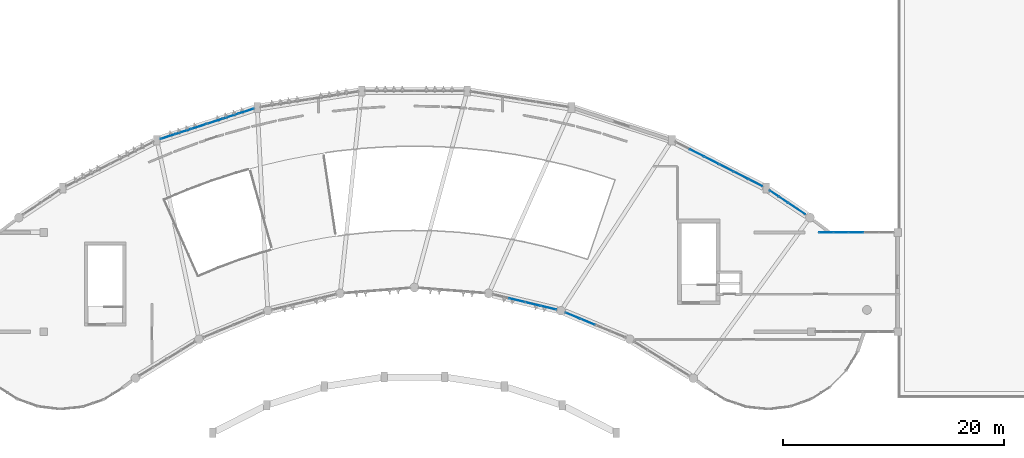
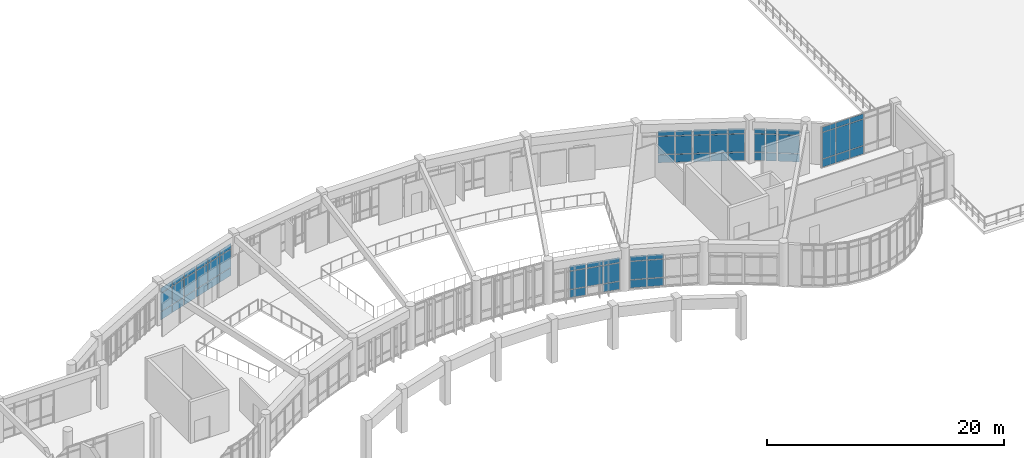
# One storey, part 37 of 54: 65 plates, 10 elements without a shape of their own.
"""IFC4 building model written with IfcOpenShell, lengths in metres."""

from ifc_helpers import new_model, si_unit, direction, frame, origin, origin_2d, place, context, subcontext, project, spatial, rectangle, extrude, material, layer, layer_set, type_object, element, aggregate, save


model = new_model("IFC4")

# Units and contexts
model_context = context("Model", 3, precision=1e-05, world=origin(), true_north=direction((0.0, 1.0)))
body_context = subcontext(model_context, "Body", "Model", "MODEL_VIEW")
ifc_project = project(units=[si_unit("LENGTHUNIT", "METRE"), si_unit("AREAUNIT", "SQUARE_METRE"), si_unit("VOLUMEUNIT", "CUBIC_METRE"), si_unit("PLANEANGLEUNIT", "RADIAN"), si_unit("MASSUNIT", "GRAM", prefix="KILO")], contexts=[model_context])

# Site, building, storey
site_placement = place(None, origin())
site = spatial("IfcSite", under=ifc_project, at=site_placement, CompositionType="ELEMENT")
building_placement = place(site_placement, origin())
building = spatial("IfcBuilding", under=site, at=building_placement, Name="Miralva Faculty of Natural Sciences", CompositionType="ELEMENT")
storey_placement = place(building_placement, frame((0.0, 0.0, 19.5)))
storey = spatial("IfcBuildingStorey", under=building, at=storey_placement, Name="L04", CompositionType="ELEMENT", Elevation=19.5)

# Curtain wall, plates
ifc_material = material(Name="Laminated solar-control glass", Category="glass")
ifc_layer_1 = layer(ifc_material, 0.179931640625, Name="CW-ARC-L03")
ifc_layer_set_1 = layer_set([ifc_layer_1], Name="Laminated solar-control glass")
curtain_wall_type_1 = type_object("IfcCurtainWallType", Name="CW-ARC-L03", PredefinedType="USERDEFINED", material=ifc_layer_set_1)
curtain_wall_1_placement = place(storey_placement, origin())
curtain_wall_1 = element("IfcCurtainWall", 1, at=curtain_wall_1_placement, inside=storey, type_object=curtain_wall_type_1, Name="Curtain wall CW-03 L04-167", ObjectType="UNITISED CURTAIN WALL", PredefinedType="USERDEFINED")
ifc_layer_2 = layer(ifc_material, 0.028076171875, Name="PNL-P01")
ifc_layer_set_2 = layer_set([ifc_layer_2], Name="Laminated solar-control glass")
plate_type = type_object("IfcPlateType", Name="PNL-P01", PredefinedType="CURTAIN_PANEL", material=ifc_layer_set_2)
plate_1_placement = place(storey_placement, frame((99.267333984375, 20.860595703125, 0.06494140625), z_axis=(0.0, 0.0, 1.0), x_axis=(0.972367185898, -0.233456753574, 0.0)))
plate_1 = element("IfcPlate", 2, at=plate_1_placement, type_object=plate_type, Name="CW-03 panel 2.1", PredefinedType="CURTAIN_PANEL", context=body_context, shape_type="SweptSolid", body=[
    extrude(rectangle(XDim=1.391845703125, YDim=0.028076171875, at=origin_2d()), origin(), (0.0, 0.0, 1.0), 0.802490234375),
])
plate_2_placement = place(storey_placement, frame((99.267333984375, 20.860595703125, 0.9326171875), z_axis=(0.0, 0.0, 1.0), x_axis=(0.972367185898, -0.233456753574, 0.0)))
plate_2 = element("IfcPlate", 3, at=plate_2_placement, type_object=plate_type, Name="CW-03 panel 2.2", PredefinedType="CURTAIN_PANEL", context=body_context, shape_type="SweptSolid", body=[
    extrude(rectangle(XDim=1.391845703125, YDim=0.028076171875, at=origin_2d()), origin(), (0.0, 0.0, 1.0), 1.840087890625),
])
plate_3_placement = place(storey_placement, frame((99.267333984375, 20.860595703125, 2.837646484375), z_axis=(0.0, 0.0, 1.0), x_axis=(0.972367185898, -0.233456753574, 0.0)))
plate_3 = element("IfcPlate", 4, at=plate_3_placement, type_object=plate_type, Name="CW-03 panel 2.3", PredefinedType="CURTAIN_PANEL", context=body_context, shape_type="SweptSolid", body=[
    extrude(rectangle(XDim=1.391845703125, YDim=0.028076171875, at=origin_2d()), origin(), (0.0, 0.0, 1.0), 0.50244140625),
])
aggregate(curtain_wall_1, [plate_1, plate_2, plate_3])

curtain_wall_2_placement = place(storey_placement, origin())
curtain_wall_2 = element("IfcCurtainWall", 5, at=curtain_wall_2_placement, inside=storey, type_object=curtain_wall_type_1, Name="Curtain wall CW-03 L04-168", ObjectType="UNITISED CURTAIN WALL", PredefinedType="USERDEFINED")
plate_4_placement = place(storey_placement, frame((100.743408203125, 20.50634765625, 0.9326171875), z_axis=(0.0, 0.0, 1.0), x_axis=(0.972365393914, -0.233464217213, 0.0)))
plate_4 = element("IfcPlate", 6, at=plate_4_placement, type_object=plate_type, Name="CW-03 panel 1.2", PredefinedType="CURTAIN_PANEL", context=body_context, shape_type="SweptSolid", body=[
    extrude(rectangle(XDim=1.394287109375, YDim=0.028076171875, at=origin_2d()), origin(), (0.0, 0.0, 1.0), 1.840087890625),
])
plate_5_placement = place(storey_placement, frame((100.743408203125, 20.50634765625, 2.837646484375), z_axis=(0.0, 0.0, 1.0), x_axis=(0.972365393914, -0.233464217213, 0.0)))
plate_5 = element("IfcPlate", 7, at=plate_5_placement, type_object=plate_type, Name="CW-03 panel 1.3", PredefinedType="CURTAIN_PANEL", context=body_context, shape_type="SweptSolid", body=[
    extrude(rectangle(XDim=1.394287109375, YDim=0.028076171875, at=origin_2d()), origin(), (0.0, 0.0, 1.0), 0.50244140625),
])
plate_6_placement = place(storey_placement, frame((102.162353515625, 20.16552734375, 0.06494140625), z_axis=(0.0, 0.0, 1.0), x_axis=(0.972365393914, -0.233464217213, 0.0)))
plate_6 = element("IfcPlate", 8, at=plate_6_placement, type_object=plate_type, Name="CW-03 panel 2.1", PredefinedType="CURTAIN_PANEL", context=body_context, shape_type="SweptSolid", body=[
    extrude(rectangle(XDim=1.394287109375, YDim=0.028076171875, at=origin_2d()), origin(), (0.0, 0.0, 1.0), 0.802490234375),
])
plate_7_placement = place(storey_placement, frame((102.162353515625, 20.16552734375, 0.9326171875), z_axis=(0.0, 0.0, 1.0), x_axis=(0.972365393914, -0.233464217213, 0.0)))
plate_7 = element("IfcPlate", 9, at=plate_7_placement, type_object=plate_type, Name="CW-03 panel 2.2", PredefinedType="CURTAIN_PANEL", context=body_context, shape_type="SweptSolid", body=[
    extrude(rectangle(XDim=1.394287109375, YDim=0.028076171875, at=origin_2d()), origin(), (0.0, 0.0, 1.0), 1.840087890625),
])
plate_8_placement = place(storey_placement, frame((102.162353515625, 20.16552734375, 2.837646484375), z_axis=(0.0, 0.0, 1.0), x_axis=(0.972365393914, -0.233464217213, 0.0)))
plate_8 = element("IfcPlate", 10, at=plate_8_placement, type_object=plate_type, Name="CW-03 panel 2.3", PredefinedType="CURTAIN_PANEL", context=body_context, shape_type="SweptSolid", body=[
    extrude(rectangle(XDim=1.394287109375, YDim=0.028076171875, at=origin_2d()), origin(), (0.0, 0.0, 1.0), 0.50244140625),
])
aggregate(curtain_wall_2, [plate_4, plate_5, plate_6, plate_7, plate_8])

curtain_wall_3_placement = place(storey_placement, origin())
curtain_wall_3 = element("IfcCurtainWall", 11, at=curtain_wall_3_placement, inside=storey, type_object=curtain_wall_type_1, Name="Curtain wall CW-03 L04-169", ObjectType="UNITISED CURTAIN WALL", PredefinedType="USERDEFINED")
plate_9_placement = place(storey_placement, frame((104.36962890625, 19.447265625, 0.06494140625), z_axis=(0.0, 0.0, 1.0), x_axis=(0.9238907876, -0.382656259046, 0.0)))
plate_9 = element("IfcPlate", 12, at=plate_9_placement, type_object=plate_type, Name="CW-03 panel 1.1", PredefinedType="CURTAIN_PANEL", context=body_context, shape_type="SweptSolid", body=[
    extrude(rectangle(XDim=1.3818359375, YDim=0.028076171875, at=origin_2d()), origin(), (0.0, 0.0, 1.0), 0.802490234375),
])
plate_10_placement = place(storey_placement, frame((104.36962890625, 19.447265625, 0.9326171875), z_axis=(0.0, 0.0, 1.0), x_axis=(0.9238907876, -0.382656259046, 0.0)))
plate_10 = element("IfcPlate", 13, at=plate_10_placement, type_object=plate_type, Name="CW-03 panel 1.2", PredefinedType="CURTAIN_PANEL", context=body_context, shape_type="SweptSolid", body=[
    extrude(rectangle(XDim=1.3818359375, YDim=0.028076171875, at=origin_2d()), origin(), (0.0, 0.0, 1.0), 1.840087890625),
])
plate_11_placement = place(storey_placement, frame((104.36962890625, 19.447265625, 2.837646484375), z_axis=(0.0, 0.0, 1.0), x_axis=(0.9238907876, -0.382656259046, 0.0)))
plate_11 = element("IfcPlate", 14, at=plate_11_placement, type_object=plate_type, Name="CW-03 panel 1.3", PredefinedType="CURTAIN_PANEL", context=body_context, shape_type="SweptSolid", body=[
    extrude(rectangle(XDim=1.3818359375, YDim=0.028076171875, at=origin_2d()), origin(), (0.0, 0.0, 1.0), 0.50244140625),
])
plate_12_placement = place(storey_placement, frame((105.706298828125, 18.8935546875, 0.06494140625), z_axis=(0.0, 0.0, 1.0), x_axis=(0.9238907876, -0.382656259046, 0.0)))
plate_12 = element("IfcPlate", 15, at=plate_12_placement, type_object=plate_type, Name="CW-03 panel 2.1", PredefinedType="CURTAIN_PANEL", context=body_context, shape_type="SweptSolid", body=[
    extrude(rectangle(XDim=1.3818359375, YDim=0.028076171875, at=origin_2d()), origin(), (0.0, 0.0, 1.0), 0.802490234375),
])
plate_13_placement = place(storey_placement, frame((105.706298828125, 18.8935546875, 0.9326171875), z_axis=(0.0, 0.0, 1.0), x_axis=(0.9238907876, -0.382656259046, 0.0)))
plate_13 = element("IfcPlate", 16, at=plate_13_placement, type_object=plate_type, Name="CW-03 panel 2.2", PredefinedType="CURTAIN_PANEL", context=body_context, shape_type="SweptSolid", body=[
    extrude(rectangle(XDim=1.3818359375, YDim=0.028076171875, at=origin_2d()), origin(), (0.0, 0.0, 1.0), 1.840087890625),
])
plate_14_placement = place(storey_placement, frame((105.706298828125, 18.8935546875, 2.837646484375), z_axis=(0.0, 0.0, 1.0), x_axis=(0.9238907876, -0.382656259046, 0.0)))
plate_14 = element("IfcPlate", 17, at=plate_14_placement, type_object=plate_type, Name="CW-03 panel 2.3", PredefinedType="CURTAIN_PANEL", context=body_context, shape_type="SweptSolid", body=[
    extrude(rectangle(XDim=1.3818359375, YDim=0.028076171875, at=origin_2d()), origin(), (0.0, 0.0, 1.0), 0.50244140625),
])
aggregate(curtain_wall_3, [plate_9, plate_10, plate_11, plate_12, plate_13, plate_14])

curtain_wall_4_placement = place(storey_placement, origin())
curtain_wall_4 = element("IfcCurtainWall", 18, at=curtain_wall_4_placement, inside=storey, type_object=curtain_wall_type_1, Name="Curtain wall CW-03 L04-177", ObjectType="UNITISED CURTAIN WALL", PredefinedType="USERDEFINED")
plate_15_placement = place(storey_placement, frame((67.6640625, 35.68408203125, 0.06005859375), z_axis=(0.0, 0.0, 1.0), x_axis=(0.951058446626, 0.309011053363, 0.0)))
plate_15 = element("IfcPlate", 19, at=plate_15_placement, type_object=plate_type, Name="CW-03 panel 1.1", PredefinedType="CURTAIN_PANEL", context=body_context, shape_type="SweptSolid", body=[
    extrude(rectangle(XDim=1.3994140625, YDim=0.028076171875, at=origin_2d()), origin(), (0.0, 0.0, 1.0), 0.81005859375),
])
plate_16_placement = place(storey_placement, frame((67.6640625, 35.68408203125, 0.93017578125), z_axis=(0.0, 0.0, 1.0), x_axis=(0.951058446626, 0.309011053363, 0.0)))
plate_16 = element("IfcPlate", 20, at=plate_16_placement, type_object=plate_type, Name="CW-03 panel 1.2", PredefinedType="CURTAIN_PANEL", context=body_context, shape_type="SweptSolid", body=[
    extrude(rectangle(XDim=1.3994140625, YDim=0.028076171875, at=origin_2d()), origin(), (0.0, 0.0, 1.0), 1.844970703125),
])
plate_17_placement = place(storey_placement, frame((67.6640625, 35.68408203125, 2.8349609375), z_axis=(0.0, 0.0, 1.0), x_axis=(0.951058446626, 0.309011053363, 0.0)))
plate_17 = element("IfcPlate", 21, at=plate_17_placement, type_object=plate_type, Name="CW-03 panel 1.3", PredefinedType="CURTAIN_PANEL", context=body_context, shape_type="SweptSolid", body=[
    extrude(rectangle(XDim=1.3994140625, YDim=0.028076171875, at=origin_2d()), origin(), (0.0, 0.0, 1.0), 0.510009765625),
])
plate_18_placement = place(storey_placement, frame((69.072509765625, 36.1416015625, 0.06005859375), z_axis=(0.0, 0.0, 1.0), x_axis=(0.951058446626, 0.309011053363, 0.0)))
plate_18 = element("IfcPlate", 22, at=plate_18_placement, type_object=plate_type, Name="CW-03 panel 2.1", PredefinedType="CURTAIN_PANEL", context=body_context, shape_type="SweptSolid", body=[
    extrude(rectangle(XDim=1.43212890625, YDim=0.028076171875, at=origin_2d()), origin(), (0.0, 0.0, 1.0), 0.81005859375),
])
plate_19_placement = place(storey_placement, frame((69.072509765625, 36.1416015625, 0.93017578125), z_axis=(0.0, 0.0, 1.0), x_axis=(0.951058446626, 0.309011053363, 0.0)))
plate_19 = element("IfcPlate", 23, at=plate_19_placement, type_object=plate_type, Name="CW-03 panel 2.2", PredefinedType="CURTAIN_PANEL", context=body_context, shape_type="SweptSolid", body=[
    extrude(rectangle(XDim=1.43212890625, YDim=0.028076171875, at=origin_2d()), origin(), (0.0, 0.0, 1.0), 1.844970703125),
])
plate_20_placement = place(storey_placement, frame((69.072509765625, 36.1416015625, 2.8349609375), z_axis=(0.0, 0.0, 1.0), x_axis=(0.951058446626, 0.309011053363, 0.0)))
plate_20 = element("IfcPlate", 24, at=plate_20_placement, type_object=plate_type, Name="CW-03 panel 2.3", PredefinedType="CURTAIN_PANEL", context=body_context, shape_type="SweptSolid", body=[
    extrude(rectangle(XDim=1.43212890625, YDim=0.028076171875, at=origin_2d()), origin(), (0.0, 0.0, 1.0), 0.510009765625),
])
plate_21_placement = place(storey_placement, frame((70.480712890625, 36.599365234375, 0.06005859375), z_axis=(0.0, 0.0, 1.0), x_axis=(0.951058446626, 0.309011053363, 0.0)))
plate_21 = element("IfcPlate", 25, at=plate_21_placement, type_object=plate_type, Name="CW-03 panel 3.1", PredefinedType="CURTAIN_PANEL", context=body_context, shape_type="SweptSolid", body=[
    extrude(rectangle(XDim=1.3994140625, YDim=0.028076171875, at=origin_2d()), origin(), (0.0, 0.0, 1.0), 0.81005859375),
])
plate_22_placement = place(storey_placement, frame((70.480712890625, 36.599365234375, 0.93017578125), z_axis=(0.0, 0.0, 1.0), x_axis=(0.951058446626, 0.309011053363, 0.0)))
plate_22 = element("IfcPlate", 26, at=plate_22_placement, type_object=plate_type, Name="CW-03 panel 3.2", PredefinedType="CURTAIN_PANEL", context=body_context, shape_type="SweptSolid", body=[
    extrude(rectangle(XDim=1.3994140625, YDim=0.028076171875, at=origin_2d()), origin(), (0.0, 0.0, 1.0), 1.844970703125),
])
plate_23_placement = place(storey_placement, frame((70.480712890625, 36.599365234375, 2.8349609375), z_axis=(0.0, 0.0, 1.0), x_axis=(0.951058446626, 0.309011053363, 0.0)))
plate_23 = element("IfcPlate", 27, at=plate_23_placement, type_object=plate_type, Name="CW-03 panel 3.3", PredefinedType="CURTAIN_PANEL", context=body_context, shape_type="SweptSolid", body=[
    extrude(rectangle(XDim=1.3994140625, YDim=0.028076171875, at=origin_2d()), origin(), (0.0, 0.0, 1.0), 0.510009765625),
])
aggregate(curtain_wall_4, [plate_15, plate_16, plate_17, plate_18, plate_19, plate_20, plate_21, plate_22, plate_23])

curtain_wall_5_placement = place(storey_placement, origin())
curtain_wall_5 = element("IfcCurtainWall", 28, at=curtain_wall_5_placement, inside=storey, type_object=curtain_wall_type_1, Name="Curtain wall CW-03 L04-178", ObjectType="UNITISED CURTAIN WALL", PredefinedType="USERDEFINED")
plate_24_placement = place(storey_placement, frame((71.931396484375, 37.070556640625, 0.06005859375), z_axis=(0.0, 0.0, 1.0), x_axis=(0.95106021738, 0.309005603375, 0.0)))
plate_24 = element("IfcPlate", 29, at=plate_24_placement, type_object=plate_type, Name="CW-03 panel 1.1", PredefinedType="CURTAIN_PANEL", context=body_context, shape_type="SweptSolid", body=[
    extrude(rectangle(XDim=1.401123046875, YDim=0.028076171875, at=origin_2d()), origin(), (0.0, 0.0, 1.0), 0.81005859375),
])
plate_25_placement = place(storey_placement, frame((71.931396484375, 37.070556640625, 0.93017578125), z_axis=(0.0, 0.0, 1.0), x_axis=(0.95106021738, 0.309005603375, 0.0)))
plate_25 = element("IfcPlate", 30, at=plate_25_placement, type_object=plate_type, Name="CW-03 panel 1.2", PredefinedType="CURTAIN_PANEL", context=body_context, shape_type="SweptSolid", body=[
    extrude(rectangle(XDim=1.401123046875, YDim=0.028076171875, at=origin_2d()), origin(), (0.0, 0.0, 1.0), 1.844970703125),
])
plate_26_placement = place(storey_placement, frame((71.931396484375, 37.070556640625, 2.8349609375), z_axis=(0.0, 0.0, 1.0), x_axis=(0.95106021738, 0.309005603375, 0.0)))
plate_26 = element("IfcPlate", 31, at=plate_26_placement, type_object=plate_type, Name="CW-03 panel 1.3", PredefinedType="CURTAIN_PANEL", context=body_context, shape_type="SweptSolid", body=[
    extrude(rectangle(XDim=1.401123046875, YDim=0.028076171875, at=origin_2d()), origin(), (0.0, 0.0, 1.0), 0.510009765625),
])
plate_27_placement = place(storey_placement, frame((73.34130859375, 37.52880859375, 0.06005859375), z_axis=(0.0, 0.0, 1.0), x_axis=(0.95106021738, 0.309005603375, 0.0)))
plate_27 = element("IfcPlate", 32, at=plate_27_placement, type_object=plate_type, Name="CW-03 panel 2.1", PredefinedType="CURTAIN_PANEL", context=body_context, shape_type="SweptSolid", body=[
    extrude(rectangle(XDim=1.43359375, YDim=0.028076171875, at=origin_2d()), origin(), (0.0, 0.0, 1.0), 0.81005859375),
])
plate_28_placement = place(storey_placement, frame((73.34130859375, 37.52880859375, 0.93017578125), z_axis=(0.0, 0.0, 1.0), x_axis=(0.95106021738, 0.309005603375, 0.0)))
plate_28 = element("IfcPlate", 33, at=plate_28_placement, type_object=plate_type, Name="CW-03 panel 2.2", PredefinedType="CURTAIN_PANEL", context=body_context, shape_type="SweptSolid", body=[
    extrude(rectangle(XDim=1.43359375, YDim=0.028076171875, at=origin_2d()), origin(), (0.0, 0.0, 1.0), 1.844970703125),
])
plate_29_placement = place(storey_placement, frame((73.34130859375, 37.52880859375, 2.8349609375), z_axis=(0.0, 0.0, 1.0), x_axis=(0.95106021738, 0.309005603375, 0.0)))
plate_29 = element("IfcPlate", 34, at=plate_29_placement, type_object=plate_type, Name="CW-03 panel 2.3", PredefinedType="CURTAIN_PANEL", context=body_context, shape_type="SweptSolid", body=[
    extrude(rectangle(XDim=1.43359375, YDim=0.028076171875, at=origin_2d()), origin(), (0.0, 0.0, 1.0), 0.510009765625),
])
plate_30_placement = place(storey_placement, frame((74.751220703125, 37.98681640625, 0.06005859375), z_axis=(0.0, 0.0, 1.0), x_axis=(0.95106021738, 0.309005603375, 0.0)))
plate_30 = element("IfcPlate", 35, at=plate_30_placement, type_object=plate_type, Name="CW-03 panel 3.1", PredefinedType="CURTAIN_PANEL", context=body_context, shape_type="SweptSolid", body=[
    extrude(rectangle(XDim=1.401123046875, YDim=0.028076171875, at=origin_2d()), origin(), (0.0, 0.0, 1.0), 0.81005859375),
])
plate_31_placement = place(storey_placement, frame((74.751220703125, 37.98681640625, 0.93017578125), z_axis=(0.0, 0.0, 1.0), x_axis=(0.95106021738, 0.309005603375, 0.0)))
plate_31 = element("IfcPlate", 36, at=plate_31_placement, type_object=plate_type, Name="CW-03 panel 3.2", PredefinedType="CURTAIN_PANEL", context=body_context, shape_type="SweptSolid", body=[
    extrude(rectangle(XDim=1.401123046875, YDim=0.028076171875, at=origin_2d()), origin(), (0.0, 0.0, 1.0), 1.844970703125),
])
plate_32_placement = place(storey_placement, frame((74.751220703125, 37.98681640625, 2.8349609375), z_axis=(0.0, 0.0, 1.0), x_axis=(0.95106021738, 0.309005603375, 0.0)))
plate_32 = element("IfcPlate", 37, at=plate_32_placement, type_object=plate_type, Name="CW-03 panel 3.3", PredefinedType="CURTAIN_PANEL", context=body_context, shape_type="SweptSolid", body=[
    extrude(rectangle(XDim=1.401123046875, YDim=0.028076171875, at=origin_2d()), origin(), (0.0, 0.0, 1.0), 0.510009765625),
])
aggregate(curtain_wall_5, [plate_24, plate_25, plate_26, plate_27, plate_28, plate_29, plate_30, plate_31, plate_32])

curtain_wall_6_placement = place(storey_placement, origin())
curtain_wall_6 = element("IfcCurtainWall", 38, at=curtain_wall_6_placement, inside=storey, type_object=curtain_wall_type_1, Name="Curtain wall CW-03 L04-185", ObjectType="UNITISED CURTAIN WALL", PredefinedType="USERDEFINED")
plate_33_placement = place(storey_placement, frame((115.6162109375, 34.19873046875, 0.06005859375), z_axis=(0.0, 0.0, 1.0), x_axis=(0.891015257812, -0.453973358631, 0.0)))
plate_33 = element("IfcPlate", 39, at=plate_33_placement, type_object=plate_type, Name="CW-03 panel 2.1", PredefinedType="CURTAIN_PANEL", context=body_context, shape_type="SweptSolid", body=[
    extrude(rectangle(XDim=1.42529296875, YDim=0.028076171875, at=origin_2d()), origin(), (0.0, 0.0, 1.0), 0.81005859375),
])
plate_34_placement = place(storey_placement, frame((115.6162109375, 34.19873046875, 0.93017578125), z_axis=(0.0, 0.0, 1.0), x_axis=(0.891015257812, -0.453973358631, 0.0)))
plate_34 = element("IfcPlate", 40, at=plate_34_placement, type_object=plate_type, Name="CW-03 panel 2.2", PredefinedType="CURTAIN_PANEL", context=body_context, shape_type="SweptSolid", body=[
    extrude(rectangle(XDim=1.42529296875, YDim=0.028076171875, at=origin_2d()), origin(), (0.0, 0.0, 1.0), 1.844970703125),
])
plate_35_placement = place(storey_placement, frame((115.6162109375, 34.19873046875, 2.8349609375), z_axis=(0.0, 0.0, 1.0), x_axis=(0.891015257812, -0.453973358631, 0.0)))
plate_35 = element("IfcPlate", 41, at=plate_35_placement, type_object=plate_type, Name="CW-03 panel 2.3", PredefinedType="CURTAIN_PANEL", context=body_context, shape_type="SweptSolid", body=[
    extrude(rectangle(XDim=1.42529296875, YDim=0.028076171875, at=origin_2d()), origin(), (0.0, 0.0, 1.0), 0.510009765625),
])
plate_36_placement = place(storey_placement, frame((116.9296875, 33.529541015625, 0.06005859375), z_axis=(0.0, 0.0, 1.0), x_axis=(0.891015257812, -0.453973358631, 0.0)))
plate_36 = element("IfcPlate", 42, at=plate_36_placement, type_object=plate_type, Name="CW-03 panel 3.1", PredefinedType="CURTAIN_PANEL", context=body_context, shape_type="SweptSolid", body=[
    extrude(rectangle(XDim=1.392822265625, YDim=0.028076171875, at=origin_2d()), origin(), (0.0, 0.0, 1.0), 0.81005859375),
])
plate_37_placement = place(storey_placement, frame((116.9296875, 33.529541015625, 0.93017578125), z_axis=(0.0, 0.0, 1.0), x_axis=(0.891015257812, -0.453973358631, 0.0)))
plate_37 = element("IfcPlate", 43, at=plate_37_placement, type_object=plate_type, Name="CW-03 panel 3.2", PredefinedType="CURTAIN_PANEL", context=body_context, shape_type="SweptSolid", body=[
    extrude(rectangle(XDim=1.392822265625, YDim=0.028076171875, at=origin_2d()), origin(), (0.0, 0.0, 1.0), 1.844970703125),
])
plate_38_placement = place(storey_placement, frame((116.9296875, 33.529541015625, 2.8349609375), z_axis=(0.0, 0.0, 1.0), x_axis=(0.891015257812, -0.453973358631, 0.0)))
plate_38 = element("IfcPlate", 44, at=plate_38_placement, type_object=plate_type, Name="CW-03 panel 3.3", PredefinedType="CURTAIN_PANEL", context=body_context, shape_type="SweptSolid", body=[
    extrude(rectangle(XDim=1.392822265625, YDim=0.028076171875, at=origin_2d()), origin(), (0.0, 0.0, 1.0), 0.510009765625),
])
aggregate(curtain_wall_6, [plate_33, plate_34, plate_35, plate_36, plate_37, plate_38])

curtain_wall_7_placement = place(storey_placement, origin())
curtain_wall_7 = element("IfcCurtainWall", 45, at=curtain_wall_7_placement, inside=storey, type_object=curtain_wall_type_1, Name="Curtain wall CW-03 L04-186", ObjectType="UNITISED CURTAIN WALL", PredefinedType="USERDEFINED")
plate_39_placement = place(storey_placement, frame((118.28271484375, 32.840087890625, 0.06005859375), z_axis=(0.0, 0.0, 1.0), x_axis=(0.891000961211, -0.454001417532, 0.0)))
plate_39 = element("IfcPlate", 46, at=plate_39_placement, type_object=plate_type, Name="CW-03 panel 1.1", PredefinedType="CURTAIN_PANEL", context=body_context, shape_type="SweptSolid", body=[
    extrude(rectangle(XDim=1.39453125, YDim=0.028076171875, at=origin_2d()), origin(), (0.0, 0.0, 1.0), 0.81005859375),
])
plate_40_placement = place(storey_placement, frame((118.28271484375, 32.840087890625, 0.93017578125), z_axis=(0.0, 0.0, 1.0), x_axis=(0.891000961211, -0.454001417532, 0.0)))
plate_40 = element("IfcPlate", 47, at=plate_40_placement, type_object=plate_type, Name="CW-03 panel 1.2", PredefinedType="CURTAIN_PANEL", context=body_context, shape_type="SweptSolid", body=[
    extrude(rectangle(XDim=1.39453125, YDim=0.028076171875, at=origin_2d()), origin(), (0.0, 0.0, 1.0), 1.844970703125),
])
plate_41_placement = place(storey_placement, frame((118.28271484375, 32.840087890625, 2.8349609375), z_axis=(0.0, 0.0, 1.0), x_axis=(0.891000961211, -0.454001417532, 0.0)))
plate_41 = element("IfcPlate", 48, at=plate_41_placement, type_object=plate_type, Name="CW-03 panel 1.3", PredefinedType="CURTAIN_PANEL", context=body_context, shape_type="SweptSolid", body=[
    extrude(rectangle(XDim=1.39453125, YDim=0.028076171875, at=origin_2d()), origin(), (0.0, 0.0, 1.0), 0.510009765625),
])
plate_42_placement = place(storey_placement, frame((119.59765625, 32.170166015625, 0.06005859375), z_axis=(0.0, 0.0, 1.0), x_axis=(0.891000961211, -0.454001417532, 0.0)))
plate_42 = element("IfcPlate", 49, at=plate_42_placement, type_object=plate_type, Name="CW-03 panel 2.1", PredefinedType="CURTAIN_PANEL", context=body_context, shape_type="SweptSolid", body=[
    extrude(rectangle(XDim=1.427001953125, YDim=0.028076171875, at=origin_2d()), origin(), (0.0, 0.0, 1.0), 0.81005859375),
])
plate_43_placement = place(storey_placement, frame((119.59765625, 32.170166015625, 0.93017578125), z_axis=(0.0, 0.0, 1.0), x_axis=(0.891000961211, -0.454001417532, 0.0)))
plate_43 = element("IfcPlate", 50, at=plate_43_placement, type_object=plate_type, Name="CW-03 panel 2.2", PredefinedType="CURTAIN_PANEL", context=body_context, shape_type="SweptSolid", body=[
    extrude(rectangle(XDim=1.427001953125, YDim=0.028076171875, at=origin_2d()), origin(), (0.0, 0.0, 1.0), 1.844970703125),
])
plate_44_placement = place(storey_placement, frame((119.59765625, 32.170166015625, 2.8349609375), z_axis=(0.0, 0.0, 1.0), x_axis=(0.891000961211, -0.454001417532, 0.0)))
plate_44 = element("IfcPlate", 51, at=plate_44_placement, type_object=plate_type, Name="CW-03 panel 2.3", PredefinedType="CURTAIN_PANEL", context=body_context, shape_type="SweptSolid", body=[
    extrude(rectangle(XDim=1.427001953125, YDim=0.028076171875, at=origin_2d()), origin(), (0.0, 0.0, 1.0), 0.510009765625),
])
plate_45_placement = place(storey_placement, frame((120.91259765625, 31.500244140625, 0.06005859375), z_axis=(0.0, 0.0, 1.0), x_axis=(0.891000961211, -0.454001417532, 0.0)))
plate_45 = element("IfcPlate", 52, at=plate_45_placement, type_object=plate_type, Name="CW-03 panel 3.1", PredefinedType="CURTAIN_PANEL", context=body_context, shape_type="SweptSolid", body=[
    extrude(rectangle(XDim=1.39453125, YDim=0.028076171875, at=origin_2d()), origin(), (0.0, 0.0, 1.0), 0.81005859375),
])
plate_46_placement = place(storey_placement, frame((120.91259765625, 31.500244140625, 0.93017578125), z_axis=(0.0, 0.0, 1.0), x_axis=(0.891000961211, -0.454001417532, 0.0)))
plate_46 = element("IfcPlate", 53, at=plate_46_placement, type_object=plate_type, Name="CW-03 panel 3.2", PredefinedType="CURTAIN_PANEL", context=body_context, shape_type="SweptSolid", body=[
    extrude(rectangle(XDim=1.39453125, YDim=0.028076171875, at=origin_2d()), origin(), (0.0, 0.0, 1.0), 1.844970703125),
])
plate_47_placement = place(storey_placement, frame((120.91259765625, 31.500244140625, 2.8349609375), z_axis=(0.0, 0.0, 1.0), x_axis=(0.891000961211, -0.454001417532, 0.0)))
plate_47 = element("IfcPlate", 54, at=plate_47_placement, type_object=plate_type, Name="CW-03 panel 3.3", PredefinedType="CURTAIN_PANEL", context=body_context, shape_type="SweptSolid", body=[
    extrude(rectangle(XDim=1.39453125, YDim=0.028076171875, at=origin_2d()), origin(), (0.0, 0.0, 1.0), 0.510009765625),
])
aggregate(curtain_wall_7, [plate_39, plate_40, plate_41, plate_42, plate_43, plate_44, plate_45, plate_46, plate_47])

curtain_wall_8_placement = place(storey_placement, origin())
curtain_wall_8 = element("IfcCurtainWall", 55, at=curtain_wall_8_placement, inside=storey, type_object=curtain_wall_type_1, Name="Curtain wall CW-03 L04-187", ObjectType="UNITISED CURTAIN WALL", PredefinedType="USERDEFINED")
plate_48_placement = place(storey_placement, frame((122.598876953125, 30.525634765625, 0.06005859375), z_axis=(0.0, 0.0, 1.0), x_axis=(0.831456918339, -0.555589230409, 0.0)))
plate_48 = element("IfcPlate", 56, at=plate_48_placement, type_object=plate_type, Name="CW-03 panel 1.1", PredefinedType="CURTAIN_PANEL", context=body_context, shape_type="SweptSolid", body=[
    extrude(rectangle(XDim=0.927490234375, YDim=0.028076171875, at=origin_2d()), origin(), (0.0, 0.0, 1.0), 0.81005859375),
])
plate_49_placement = place(storey_placement, frame((122.598876953125, 30.525634765625, 0.93017578125), z_axis=(0.0, 0.0, 1.0), x_axis=(0.831456918339, -0.555589230409, 0.0)))
plate_49 = element("IfcPlate", 57, at=plate_49_placement, type_object=plate_type, Name="CW-03 panel 1.2", PredefinedType="CURTAIN_PANEL", context=body_context, shape_type="SweptSolid", body=[
    extrude(rectangle(XDim=0.927490234375, YDim=0.028076171875, at=origin_2d()), origin(), (0.0, 0.0, 1.0), 1.844970703125),
])
plate_50_placement = place(storey_placement, frame((122.598876953125, 30.525634765625, 2.8349609375), z_axis=(0.0, 0.0, 1.0), x_axis=(0.831456918339, -0.555589230409, 0.0)))
plate_50 = element("IfcPlate", 58, at=plate_50_placement, type_object=plate_type, Name="CW-03 panel 1.3", PredefinedType="CURTAIN_PANEL", context=body_context, shape_type="SweptSolid", body=[
    extrude(rectangle(XDim=0.927490234375, YDim=0.028076171875, at=origin_2d()), origin(), (0.0, 0.0, 1.0), 0.510009765625),
])
plate_51_placement = place(storey_placement, frame((123.424072265625, 29.974365234375, 0.06005859375), z_axis=(0.0, 0.0, 1.0), x_axis=(0.831456918339, -0.555589230409, 0.0)))
plate_51 = element("IfcPlate", 59, at=plate_51_placement, type_object=plate_type, Name="CW-03 panel 2.1", PredefinedType="CURTAIN_PANEL", context=body_context, shape_type="SweptSolid", body=[
    extrude(rectangle(XDim=0.927490234375, YDim=0.028076171875, at=origin_2d()), origin(), (0.0, 0.0, 1.0), 0.81005859375),
])
plate_52_placement = place(storey_placement, frame((123.424072265625, 29.974365234375, 0.93017578125), z_axis=(0.0, 0.0, 1.0), x_axis=(0.831456918339, -0.555589230409, 0.0)))
plate_52 = element("IfcPlate", 60, at=plate_52_placement, type_object=plate_type, Name="CW-03 panel 2.2", PredefinedType="CURTAIN_PANEL", context=body_context, shape_type="SweptSolid", body=[
    extrude(rectangle(XDim=0.927490234375, YDim=0.028076171875, at=origin_2d()), origin(), (0.0, 0.0, 1.0), 1.844970703125),
])
plate_53_placement = place(storey_placement, frame((123.424072265625, 29.974365234375, 2.8349609375), z_axis=(0.0, 0.0, 1.0), x_axis=(0.831456918339, -0.555589230409, 0.0)))
plate_53 = element("IfcPlate", 61, at=plate_53_placement, type_object=plate_type, Name="CW-03 panel 2.3", PredefinedType="CURTAIN_PANEL", context=body_context, shape_type="SweptSolid", body=[
    extrude(rectangle(XDim=0.927490234375, YDim=0.028076171875, at=origin_2d()), origin(), (0.0, 0.0, 1.0), 0.510009765625),
])
aggregate(curtain_wall_8, [plate_48, plate_49, plate_50, plate_51, plate_52, plate_53])

curtain_wall_9_placement = place(storey_placement, origin())
curtain_wall_9 = element("IfcCurtainWall", 62, at=curtain_wall_9_placement, inside=storey, type_object=curtain_wall_type_1, Name="Curtain wall CW-03 L04-188", ObjectType="UNITISED CURTAIN WALL", PredefinedType="USERDEFINED")
plate_54_placement = place(storey_placement, frame((124.663818359375, 29.145751953125, 0.06005859375), z_axis=(0.0, 0.0, 1.0), x_axis=(0.831485319776, -0.555546724404, 0.0)))
plate_54 = element("IfcPlate", 63, at=plate_54_placement, type_object=plate_type, Name="CW-03 panel 1.1", PredefinedType="CURTAIN_PANEL", context=body_context, shape_type="SweptSolid", body=[
    extrude(rectangle(XDim=1.804931640625, YDim=0.028076171875, at=origin_2d()), origin(), (0.0, 0.0, 1.0), 0.81005859375),
])
plate_55_placement = place(storey_placement, frame((124.663818359375, 29.145751953125, 0.93017578125), z_axis=(0.0, 0.0, 1.0), x_axis=(0.831485319776, -0.555546724404, 0.0)))
plate_55 = element("IfcPlate", 64, at=plate_55_placement, type_object=plate_type, Name="CW-03 panel 1.2", PredefinedType="CURTAIN_PANEL", context=body_context, shape_type="SweptSolid", body=[
    extrude(rectangle(XDim=1.804931640625, YDim=0.028076171875, at=origin_2d()), origin(), (0.0, 0.0, 1.0), 1.844970703125),
])
plate_56_placement = place(storey_placement, frame((124.663818359375, 29.145751953125, 2.8349609375), z_axis=(0.0, 0.0, 1.0), x_axis=(0.831485319776, -0.555546724404, 0.0)))
plate_56 = element("IfcPlate", 65, at=plate_56_placement, type_object=plate_type, Name="CW-03 panel 1.3", PredefinedType="CURTAIN_PANEL", context=body_context, shape_type="SweptSolid", body=[
    extrude(rectangle(XDim=1.804931640625, YDim=0.028076171875, at=origin_2d()), origin(), (0.0, 0.0, 1.0), 0.510009765625),
])
aggregate(curtain_wall_9, [plate_54, plate_55, plate_56])

ifc_layer_3 = layer(ifc_material, 0.179931640625, Name="CW-COM-L01")
ifc_layer_set_3 = layer_set([ifc_layer_3], Name="Laminated solar-control glass")
curtain_wall_type_2 = type_object("IfcCurtainWallType", Name="CW-COM-L01", PredefinedType="USERDEFINED", material=ifc_layer_set_3)
curtain_wall_10_placement = place(storey_placement, origin())
curtain_wall_10 = element("IfcCurtainWall", 66, at=curtain_wall_10_placement, inside=storey, type_object=curtain_wall_type_2, Name="Curtain wall CW-10 L04-311", ObjectType="UNITISED CURTAIN WALL", PredefinedType="USERDEFINED")
plate_57_placement = place(storey_placement, frame((127.319580078125, 27.0, 0.06005859375), z_axis=(0.0, 0.0, 1.0), x_axis=(1.0, 0.0, 0.0)))
plate_57 = element("IfcPlate", 67, at=plate_57_placement, type_object=plate_type, Name="CW-10 panel 1.1", PredefinedType="CURTAIN_PANEL", context=body_context, shape_type="SweptSolid", body=[
    extrude(rectangle(XDim=1.279052734375, YDim=0.028076171875, at=origin_2d()), origin(), (0.0, 0.0, 1.0), 0.81005859375),
])
plate_58_placement = place(storey_placement, frame((127.319580078125, 27.0, 0.929931640625), z_axis=(0.0, 0.0, 1.0), x_axis=(1.0, 0.0, 0.0)))
plate_58 = element("IfcPlate", 68, at=plate_58_placement, type_object=plate_type, Name="CW-10 panel 1.2", PredefinedType="CURTAIN_PANEL", context=body_context, shape_type="SweptSolid", body=[
    extrude(rectangle(XDim=1.279052734375, YDim=0.028076171875, at=origin_2d()), origin(), (0.0, 0.0, 1.0), 2.68994140625),
])
plate_59_placement = place(storey_placement, frame((127.319580078125, 27.0, 3.68017578125), z_axis=(0.0, 0.0, 1.0), x_axis=(1.0, 0.0, 0.0)))
plate_59 = element("IfcPlate", 69, at=plate_59_placement, type_object=plate_type, Name="CW-10 panel 1.3", PredefinedType="CURTAIN_PANEL", context=body_context, shape_type="SweptSolid", body=[
    extrude(rectangle(XDim=1.279052734375, YDim=0.028076171875, at=origin_2d()), origin(), (0.0, 0.0, 1.0), 0.510009765625),
])
plate_60_placement = place(storey_placement, frame((128.673583984375, 27.0, 0.06005859375), z_axis=(0.0, 0.0, 1.0), x_axis=(1.0, 0.0, 0.0)))
plate_60 = element("IfcPlate", 70, at=plate_60_placement, type_object=plate_type, Name="CW-10 panel 2.1", PredefinedType="CURTAIN_PANEL", context=body_context, shape_type="SweptSolid", body=[
    extrude(rectangle(XDim=1.30908203125, YDim=0.028076171875, at=origin_2d()), origin(), (0.0, 0.0, 1.0), 0.81005859375),
])
plate_61_placement = place(storey_placement, frame((128.673583984375, 27.0, 0.929931640625), z_axis=(0.0, 0.0, 1.0), x_axis=(1.0, 0.0, 0.0)))
plate_61 = element("IfcPlate", 71, at=plate_61_placement, type_object=plate_type, Name="CW-10 panel 2.2", PredefinedType="CURTAIN_PANEL", context=body_context, shape_type="SweptSolid", body=[
    extrude(rectangle(XDim=1.30908203125, YDim=0.028076171875, at=origin_2d()), origin(), (0.0, 0.0, 1.0), 2.68994140625),
])
plate_62_placement = place(storey_placement, frame((128.673583984375, 27.0, 3.68017578125), z_axis=(0.0, 0.0, 1.0), x_axis=(1.0, 0.0, 0.0)))
plate_62 = element("IfcPlate", 72, at=plate_62_placement, type_object=plate_type, Name="CW-10 panel 2.3", PredefinedType="CURTAIN_PANEL", context=body_context, shape_type="SweptSolid", body=[
    extrude(rectangle(XDim=1.30908203125, YDim=0.028076171875, at=origin_2d()), origin(), (0.0, 0.0, 1.0), 0.510009765625),
])
plate_63_placement = place(storey_placement, frame((130.04248046875, 27.0, 0.06005859375), z_axis=(0.0, 0.0, 1.0), x_axis=(1.0, 0.0, 0.0)))
plate_63 = element("IfcPlate", 73, at=plate_63_placement, type_object=plate_type, Name="CW-10 panel 3.1", PredefinedType="CURTAIN_PANEL", context=body_context, shape_type="SweptSolid", body=[
    extrude(rectangle(XDim=1.30908203125, YDim=0.028076171875, at=origin_2d()), origin(), (0.0, 0.0, 1.0), 0.81005859375),
])
plate_64_placement = place(storey_placement, frame((130.04248046875, 27.0, 0.929931640625), z_axis=(0.0, 0.0, 1.0), x_axis=(1.0, 0.0, 0.0)))
plate_64 = element("IfcPlate", 74, at=plate_64_placement, type_object=plate_type, Name="CW-10 panel 3.2", PredefinedType="CURTAIN_PANEL", context=body_context, shape_type="SweptSolid", body=[
    extrude(rectangle(XDim=1.30908203125, YDim=0.028076171875, at=origin_2d()), origin(), (0.0, 0.0, 1.0), 2.68994140625),
])
plate_65_placement = place(storey_placement, frame((130.04248046875, 27.0, 3.68017578125), z_axis=(0.0, 0.0, 1.0), x_axis=(1.0, 0.0, 0.0)))
plate_65 = element("IfcPlate", 75, at=plate_65_placement, type_object=plate_type, Name="CW-10 panel 3.3", PredefinedType="CURTAIN_PANEL", context=body_context, shape_type="SweptSolid", body=[
    extrude(rectangle(XDim=1.30908203125, YDim=0.028076171875, at=origin_2d()), origin(), (0.0, 0.0, 1.0), 0.510009765625),
])
aggregate(curtain_wall_10, [plate_57, plate_58, plate_59, plate_60, plate_61, plate_62, plate_63, plate_64, plate_65])

save(model, "model.ifc")
